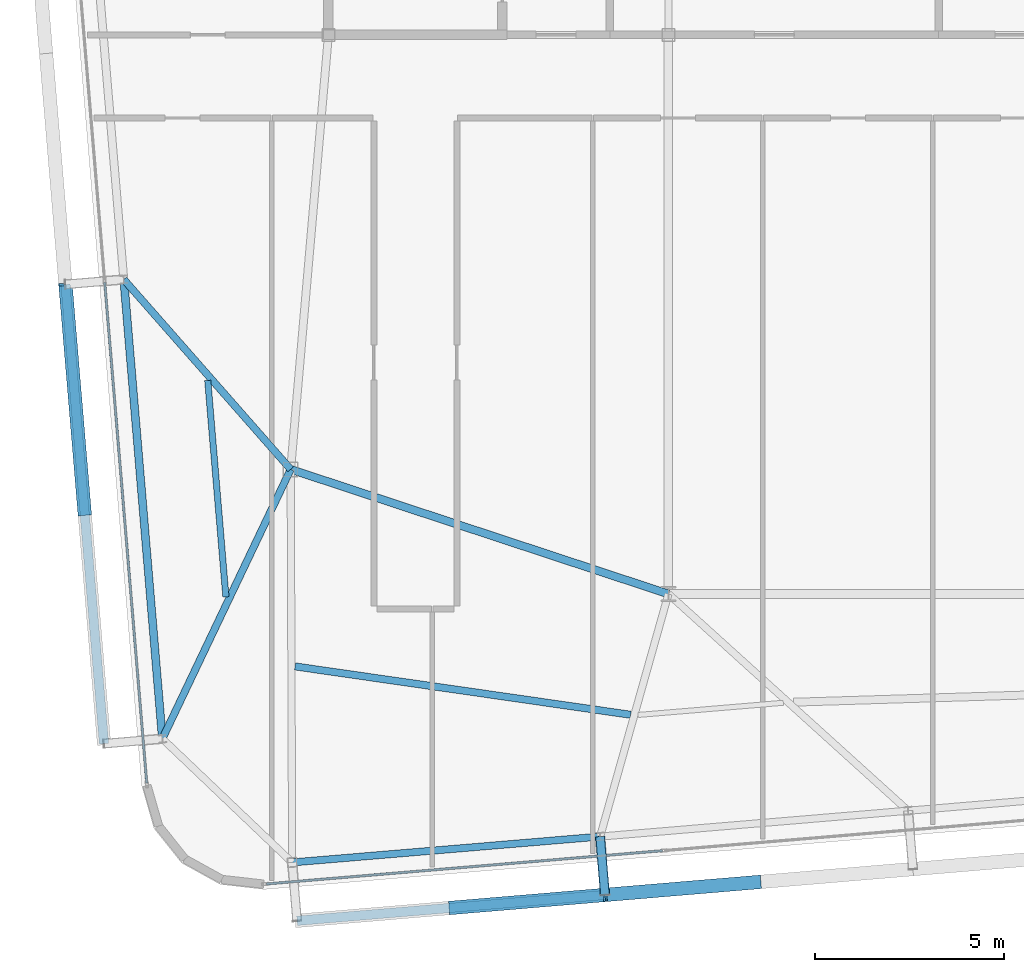
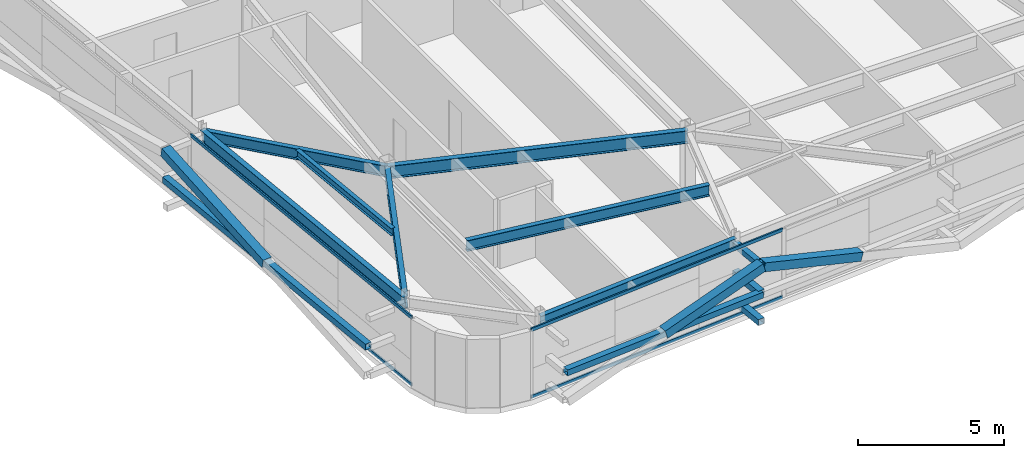
# One storey, part 8 of 39: 12 members, 7 beams, 2 elements without a shape of their own.
"""IFC4 building model written with IfcOpenShell, lengths in metres."""

from ifc_helpers import new_model, si_unit, direction, frame, origin, origin_2d, place, context, subcontext, project, spatial, hollow_rectangle, i_section, extrude, source, transform, mapped, material, layer, layer_set, material_profile, profile_set, type_object, element, aggregate, save


model = new_model("IFC4")

# Units and contexts
model_context = context("Model", 3, precision=1e-05, world=origin(), true_north=direction((0.0, 1.0)))
body_context = subcontext(model_context, "Body", "Model", "MODEL_VIEW")
ifc_project = project(units=[si_unit("LENGTHUNIT", "METRE"), si_unit("AREAUNIT", "SQUARE_METRE"), si_unit("VOLUMEUNIT", "CUBIC_METRE"), si_unit("PLANEANGLEUNIT", "RADIAN"), si_unit("MASSUNIT", "GRAM", prefix="KILO")], contexts=[model_context])

# Site, building, storey
site_placement = place(None, origin())
site = spatial("IfcSite", under=ifc_project, at=site_placement, CompositionType="ELEMENT")
building_placement = place(site_placement, origin())
building = spatial("IfcBuilding", under=site, at=building_placement, Name="Taldren Reach Tower", CompositionType="ELEMENT")
storey_placement = place(building_placement, frame((0.0, 0.0, 204.050048828125)))
storey = spatial("IfcBuildingStorey", under=building, at=storey_placement, Name="L62", CompositionType="ELEMENT", Elevation=204.050048828125)

# Beam
ifc_material_1 = material(Name="Steel Gr 350 (350PLUS)", Category="steel")
ifc_material_profile_1 = material_profile(ifc_material_1, i_section(OverallWidth=0.208984375, OverallDepth=0.532958984375, WebThickness=0.01025390625, FlangeThickness=0.015625, at=origin_2d()), Name="530UB92.4")
ifc_profile_set_1 = profile_set([ifc_material_profile_1], Name="Steel Gr 350 (350PLUS)")
beam_type_1 = type_object("IfcBeamType", Name="BM-UB530A", PredefinedType="BEAM", material=ifc_profile_set_1)
shared_shape_1 = source(origin(), body_context, "Body", "SweptSolid", [
    extrude(i_section(OverallWidth=0.208984375, OverallDepth=0.532958984375, WebThickness=0.01025390625, FlangeThickness=0.015625, at=origin_2d()), origin(), (0.0, 0.0, 1.0), 10.530517578125),
])
beam_1_placement = place(storey_placement, frame((18.0, 12.5, 2.603515625), z_axis=(0.949627269203, -0.313381635689, 0.0), x_axis=(0.313381635689, 0.949627269203, 0.0)))
element("IfcBeam", 1, at=beam_1_placement, inside=storey, type_object=beam_type_1, Name="Core-spine girder L62-SP10", PredefinedType="BEAM", context=body_context, shape_type="MappedRepresentation", body=[
    mapped(shared_shape_1, transform((0.0, 0.0, 0.0), scale=1.0)),
])

# Members
ifc_material_2 = material(Name="Steel Gr 350 (C350L0)", Category="steel")
ifc_material_profile_2 = material_profile(ifc_material_2, hollow_rectangle(XDim=0.25, YDim=0.25, WallThickness=0.010009765625, at=origin_2d()), Name="250x250x10.0SHS")
ifc_profile_set_2 = profile_set([ifc_material_profile_2], Name="Steel Gr 350 (C350L0)")
member_type_1 = type_object("IfcMemberType", Name="MB-POST250", PredefinedType="POST", material=ifc_profile_set_2)
shared_shape_2 = source(origin(), body_context, "Body", "SweptSolid", [
    extrude(hollow_rectangle(XDim=0.25, YDim=0.25, WallThickness=0.010009765625, at=origin_2d()), origin(), (0.0, 0.0, 1.0), 1.550048828125),
])
for number, where, z_axis, x_axis, name in (
    (2, (26.19091796875, 2.778564453125, 0.219970703125), (0.083632013783, -0.996496706603, 0.0), (0.996496706603, 0.083632013783, 0.0), "Exoskeleton base diaphragm tie strut B4-S2 L62"),
    (3, (26.19091796875, 2.778564453125, 1.405029296875), (0.083632013783, -0.996496706603, 0.0), (0.996496706603, 0.083632013783, 0.0), "Exoskeleton mid-tier diaphragm tie B4-S2 L62"),
):
    element("IfcMember", number, at=place(storey_placement, frame(where, z_axis=z_axis, x_axis=x_axis)), inside=storey, type_object=member_type_1, Name=name, PredefinedType="POST", context=body_context, shape_type="MappedRepresentation", body=[
        mapped(shared_shape_2, transform((0.0, 0.0, 0.0), scale=1.0)),
    ])

# Beams
ifc_material_profile_3 = material_profile(ifc_material_1, i_section(OverallWidth=0.18994140625, OverallDepth=0.4541015625, WebThickness=0.008544921875, FlangeThickness=0.0126953125, at=origin_2d()), Name="460UB67.1")
ifc_profile_set_3 = profile_set([ifc_material_profile_3], Name="Steel Gr 350 (350PLUS)")
beam_type_2 = type_object("IfcBeamType", Name="SP-UB460B", PredefinedType="SPANDREL", material=ifc_profile_set_3)
shared_shape_3 = source(origin(), body_context, "Body", "SweptSolid", [
    extrude(i_section(OverallWidth=0.18994140625, OverallDepth=0.4541015625, WebThickness=0.008544921875, FlangeThickness=0.0126953125, at=origin_2d()), origin(), (0.0, 0.0, 1.0), 8.18017578125),
])
beam_2_placement = place(storey_placement, frame((18.03955078125, 2.093994140625, 2.64306640625), z_axis=(0.996492034688, 0.083687662192, 0.0), x_axis=(-0.083687662192, 0.996492034688, 0.0)))
element("IfcBeam", 4, at=beam_2_placement, inside=storey, type_object=beam_type_2, Name="Perimeter spandrel B4 S1-S2 L62", PredefinedType="SPANDREL", context=body_context, shape_type="MappedRepresentation", body=[
    mapped(shared_shape_3, transform((0.0, 0.0, 0.0), scale=1.0)),
])
ifc_material_profile_4 = material_profile(ifc_material_1, i_section(OverallWidth=0.208984375, OverallDepth=0.528076171875, WebThickness=0.009521484375, FlangeThickness=0.01318359375, at=origin_2d()), Name="530UB82.0")
ifc_profile_set_4 = profile_set([ifc_material_profile_4], Name="Steel Gr 350 (350PLUS)")
beam_type_3 = type_object("IfcBeamType", Name="SP-UB530B", PredefinedType="SPANDREL", material=ifc_profile_set_4)
shared_shape_4 = source(origin(), body_context, "Body", "SweptSolid", [
    extrude(i_section(OverallWidth=0.208984375, OverallDepth=0.528076171875, WebThickness=0.009521484375, FlangeThickness=0.01318359375, at=origin_2d()), origin(), (0.0, 0.0, 1.0), 12.199951171875),
])
beam_3_placement = place(storey_placement, frame((13.582763671875, 17.525146484375, 2.60595703125), z_axis=(0.083688038336, -0.996492003099, 0.0), x_axis=(0.996492003099, 0.083688038336, 0.0)))
element("IfcBeam", 5, at=beam_3_placement, inside=storey, type_object=beam_type_3, Name="Perimeter spandrel B4 W2-W1 L62", PredefinedType="SPANDREL", context=body_context, shape_type="MappedRepresentation", body=[
    mapped(shared_shape_4, transform((0.0, 0.0, 0.0), scale=1.0)),
])
ifc_material_profile_5 = material_profile(ifc_material_1, i_section(OverallWidth=0.19091796875, OverallDepth=0.4599609375, WebThickness=0.010009765625, FlangeThickness=0.01611328125, at=origin_2d()), Name="460UB82.1")
ifc_profile_set_5 = profile_set([ifc_material_profile_5], Name="Steel Gr 350 (350PLUS)")
beam_type_4 = type_object("IfcBeamType", Name="BM-UB460A", PredefinedType="BEAM", material=ifc_profile_set_5)
shared_shape_5 = source(origin(), body_context, "Body", "SweptSolid", [
    extrude(i_section(OverallWidth=0.19091796875, OverallDepth=0.4599609375, WebThickness=0.010009765625, FlangeThickness=0.01611328125, at=origin_2d()), origin(), (0.0, 0.0, 1.0), 6.690673828125),
])
beam_4_placement = place(storey_placement, frame((18.0, 12.5, 2.639892578125), z_axis=(-0.660215677485, 0.751076067521, 0.0), x_axis=(-0.751076067521, -0.660215677485, 0.0)))
element("IfcBeam", 6, at=beam_4_placement, inside=storey, type_object=beam_type_4, Name="Primary floor girder B4-W2 L62", PredefinedType="BEAM", context=body_context, shape_type="MappedRepresentation", body=[
    mapped(shared_shape_5, transform((0.0, 0.0, 0.0), scale=1.0)),
])
shared_shape_6 = source(origin(), body_context, "Body", "SweptSolid", [
    extrude(i_section(OverallWidth=0.19091796875, OverallDepth=0.4599609375, WebThickness=0.010009765625, FlangeThickness=0.01611328125, at=origin_2d()), origin(), (0.0, 0.0, 1.0), 7.8994140625),
])
beam_5_placement = place(storey_placement, frame((18.0, 12.5, 2.639892578125), z_axis=(-0.429934780074, -0.902859947546, 0.0), x_axis=(0.902859947546, -0.429934780074, 0.0)))
element("IfcBeam", 7, at=beam_5_placement, inside=storey, type_object=beam_type_4, Name="Primary floor girder B4-W1 L62", PredefinedType="BEAM", context=body_context, shape_type="MappedRepresentation", body=[
    mapped(shared_shape_6, transform((0.0, 0.0, 0.0), scale=1.0)),
])
shared_shape_7 = source(origin(), body_context, "Body", "SweptSolid", [
    extrude(i_section(OverallWidth=0.19091796875, OverallDepth=0.4599609375, WebThickness=0.010009765625, FlangeThickness=0.01611328125, at=origin_2d()), origin(), (0.0, 0.0, 1.0), 8.9765625),
])
beam_6_placement = place(storey_placement, frame((18.115478515625, 7.283203125, 2.639892578125), z_axis=(0.989776873291, -0.142624475806, 0.0), x_axis=(0.142624475806, 0.989776873291, 0.0)))
element("IfcBeam", 8, at=beam_6_placement, inside=storey, type_object=beam_type_4, Name="Secondary floor beam B4 J1 L62", PredefinedType="BEAM", context=body_context, shape_type="MappedRepresentation", body=[
    mapped(shared_shape_7, transform((0.0, 0.0, 0.0), scale=1.0)),
])
ifc_material_3 = material(Name="Steel Gr 300 (300PLUS, 300 MPa)", Category="steel")
ifc_material_profile_6 = material_profile(ifc_material_3, i_section(OverallWidth=0.166015625, OverallDepth=0.306884765625, WebThickness=0.006591796875, FlangeThickness=0.01171875, at=origin_2d()), Name="310UB46.2")
ifc_profile_set_6 = profile_set([ifc_material_profile_6], Name="Steel Gr 300 (300PLUS, 300 MPa)")
beam_type_5 = type_object("IfcBeamType", Name="JS-UB310", PredefinedType="JOIST", material=ifc_profile_set_6)
shared_shape_8 = source(origin(), body_context, "Body", "SweptSolid", [
    extrude(i_section(OverallWidth=0.166015625, OverallDepth=0.306884765625, WebThickness=0.006591796875, FlangeThickness=0.01171875, at=origin_2d()), origin(), (0.0, 0.0, 1.0), 5.750244140625),
])
beam_7_placement = place(storey_placement, frame((16.285888671875, 9.122802734375, 2.716552734375), z_axis=(-0.083642808993, 0.996495800545, 0.0), x_axis=(-0.996495800545, -0.083642808993, 0.0)))
element("IfcBeam", 9, at=beam_7_placement, inside=storey, type_object=beam_type_5, Name="Secondary floor joist B4 J6 L62", PredefinedType="JOIST", context=body_context, shape_type="MappedRepresentation", body=[
    mapped(shared_shape_8, transform((0.0, 0.0, 0.0), scale=1.0)),
])

# Members
ifc_material_4 = material(Name="Steel Gr 450 (C450L0)", Category="steel")
ifc_material_profile_7 = material_profile(ifc_material_4, hollow_rectangle(XDim=0.219970703125, YDim=0.219970703125, WallThickness=0.00830078125, at=origin_2d()), Name="220x220x8.2SHS")
ifc_profile_set_7 = profile_set([ifc_material_profile_7], Name="Steel Gr 450 (C450L0)")
member_type_2 = type_object("IfcMemberType", Name="MB-TIE219", PredefinedType="STRUT", material=ifc_profile_set_7)
shared_shape_9 = source(origin(), body_context, "Body", "SweptSolid", [
    extrude(hollow_rectangle(XDim=0.219970703125, YDim=0.219970703125, WallThickness=0.00830078125, at=origin_2d()), origin(), (0.0, 0.0, 1.0), 1.550048828125),
])
member_1_placement = place(storey_placement, frame((26.19091796875, 2.778564453125, 2.58984375), z_axis=(0.083632013783, -0.996496706603, 0.0), x_axis=(0.996496706603, 0.083632013783, 0.0)))
element("IfcMember", 10, at=member_1_placement, inside=storey, type_object=member_type_2, Name="Exoskeleton diaphragm tie strut B4-S2 L62", PredefinedType="STRUT", context=body_context, shape_type="MappedRepresentation", body=[
    mapped(shared_shape_9, transform((0.0, 0.0, 0.0), scale=1.0)),
])
shared_shape_10 = source(origin(), body_context, "Body", "SweptSolid", [
    extrude(hollow_rectangle(XDim=0.25, YDim=0.25, WallThickness=0.010009765625, at=origin_2d()), origin(), (0.0, 0.0, 1.0), 8.1796875),
])
member_2_placement = place(storey_placement, frame((18.16943359375, 0.549560546875, 1.405029296875), z_axis=(0.996494314327, 0.083660513465, 0.0), x_axis=(-0.083660513465, 0.996494314327, 0.0)))
element("IfcMember", 11, at=member_2_placement, inside=storey, type_object=member_type_1, Name="Exoskeleton mid-height ring chord B4-S1 L62", PredefinedType="POST", context=body_context, shape_type="MappedRepresentation", body=[
    mapped(shared_shape_10, transform((0.0, 0.0, 0.0), scale=1.0)),
])
shared_shape_11 = source(origin(), body_context, "Body", "SweptSolid", [
    extrude(hollow_rectangle(XDim=0.25, YDim=0.25, WallThickness=0.010009765625, at=origin_2d()), origin(), (0.0, 0.0, 1.0), 12.199951171875),
])
member_3_placement = place(storey_placement, frame((13.05908203125, 5.23828125, 1.405029296875), z_axis=(-0.083688038336, 0.996492003099, 0.0), x_axis=(-0.996492003099, -0.083688038336, 0.0)))
element("IfcMember", 12, at=member_3_placement, inside=storey, type_object=member_type_1, Name="Exoskeleton mid-height ring chord B4-W1 L62", PredefinedType="POST", context=body_context, shape_type="MappedRepresentation", body=[
    mapped(shared_shape_11, transform((0.0, 0.0, 0.0), scale=1.0)),
])
ifc_material_profile_8 = material_profile(ifc_material_4, hollow_rectangle(XDim=0.360107421875, YDim=0.360107421875, WallThickness=0.0126953125, at=origin_2d()), Name="360x360x12.7SHS")
ifc_profile_set_8 = profile_set([ifc_material_profile_8], Name="Steel Gr 450 (C450L0)")
member_type_3 = type_object("IfcMemberType", Name="MB-EXO356", PredefinedType="BRACE", material=ifc_profile_set_8)
shared_shape_12 = source(origin(), body_context, "Body", "SweptSolid", [
    extrude(hollow_rectangle(XDim=0.360107421875, YDim=0.360107421875, WallThickness=0.0126953125, at=origin_2d()), origin(), (0.0, 0.0, 1.0), 4.25830078125),
])
member_4_placement = place(storey_placement, frame((30.396240234375, 1.576171875, 1.405029296875), z_axis=(-0.957140989668, -0.080382872141, 0.278243993223), x_axis=(0.083687662192, -0.996492034688, 0.0)))
element("IfcMember", 13, at=member_4_placement, inside=storey, type_object=member_type_3, Name="Exoskeleton Diagrid Brace B4-S2 L62", PredefinedType="BRACE", context=body_context, shape_type="MappedRepresentation", body=[
    mapped(shared_shape_12, transform((0.0, 0.0, 0.0), scale=1.0)),
])
shared_shape_13 = source(origin(), body_context, "Body", "SweptSolid", [
    extrude(hollow_rectangle(XDim=0.360107421875, YDim=0.360107421875, WallThickness=0.0126953125, at=origin_2d()), origin(), (0.0, 0.0, 1.0), 4.258056640625),
])
member_5_placement = place(storey_placement, frame((22.2451171875, 0.8916015625, 1.405029296875), z_axis=(0.957136179995, 0.080387283553, 0.278259263255), x_axis=(-0.083692640416, 0.996491616593, 0.0)))
element("IfcMember", 14, at=member_5_placement, inside=storey, type_object=member_type_3, Name="Exoskeleton Diagrid Brace B4-S1 L62", PredefinedType="BRACE", context=body_context, shape_type="MappedRepresentation", body=[
    mapped(shared_shape_13, transform((0.0, 0.0, 0.0), scale=1.0)),
])
shared_shape_14 = source(origin(), body_context, "Body", "SweptSolid", [
    extrude(hollow_rectangle(XDim=0.360107421875, YDim=0.360107421875, WallThickness=0.0126953125, at=origin_2d()), origin(), (0.0, 0.0, 1.0), 6.214111328125),
])
member_6_placement = place(storey_placement, frame((12.548583984375, 11.31689453125, 1.405029296875), z_axis=(-0.082152742434, 0.978210894841, 0.190668225266), x_axis=(-0.996492003099, -0.083688038336, 0.0)))
element("IfcMember", 15, at=member_6_placement, inside=storey, type_object=member_type_3, Name="Exoskeleton Diagrid Brace B4-W1 L62", PredefinedType="BRACE", context=body_context, shape_type="MappedRepresentation", body=[
    mapped(shared_shape_14, transform((0.0, 0.0, 0.0), scale=1.0)),
])

# Curtain wall, members
ifc_material_5 = material(Name="Aluminium and Low-E Glass Unitised System", Category="aluminium")
ifc_layer = layer(ifc_material_5, 0.159912109375)
ifc_layer_set = layer_set([ifc_layer], Name="Aluminium and Low-E Glass Unitised System")
curtain_wall_type = type_object("IfcCurtainWallType", Name="CW-SYS-5", PredefinedType="NOTDEFINED", material=ifc_layer_set)
curtain_wall_1_placement = place(storey_placement, origin())
curtain_wall_1 = element("IfcCurtainWall", 16, at=curtain_wall_1_placement, inside=storey, type_object=curtain_wall_type, Name="Unitised curtain wall CW-L62-S", PredefinedType="NOTDEFINED")
ifc_material_6 = material(Name="Anodised Aluminium 6063-T6", Category="aluminium")
ifc_material_profile_9 = material_profile(ifc_material_6, hollow_rectangle(XDim=0.06005859375, YDim=0.135009765625, WallThickness=0.00341796875, at=origin_2d()), Name="ALU-135x60x3.5RHS")
ifc_profile_set_9 = profile_set([ifc_material_profile_9], Name="Anodised Aluminium 6063-T6")
member_type_4 = type_object("IfcMemberType", Name="CW-TRN-150", PredefinedType="USERDEFINED", material=ifc_profile_set_9)
shared_shape_15 = source(origin(), body_context, "Body", "SweptSolid", [
    extrude(hollow_rectangle(XDim=0.06005859375, YDim=0.135009765625, WallThickness=0.00341796875, at=origin_2d()), origin(), (0.0, 0.0, 1.0), 10.519775390625),
])
member_7_placement = place(storey_placement, frame((17.35498046875, 1.524658203125, 0.030029296875), z_axis=(0.996492094046, 0.083686955404, 0.0), x_axis=(-0.083686955404, 0.996492094046, 0.0)))
member_7 = element("IfcMember", 17, at=member_7_placement, type_object=member_type_4, Name="CW-5 transom 1.1", ObjectType="TRANSOM", PredefinedType="USERDEFINED", context=body_context, shape_type="MappedRepresentation", body=[
    mapped(shared_shape_15, transform((0.0, 0.0, 0.0), scale=1.0)),
])
member_8_placement = place(storey_placement, frame((17.35498046875, 1.524658203125, 2.83984375), z_axis=(0.996492094046, 0.083686955404, 0.0), x_axis=(-0.083686955404, 0.996492094046, 0.0)))
member_8 = element("IfcMember", 18, at=member_8_placement, type_object=member_type_4, Name="CW-5 transom 1.2", ObjectType="TRANSOM", PredefinedType="USERDEFINED", context=body_context, shape_type="MappedRepresentation", body=[
    mapped(shared_shape_15, transform((0.0, 0.0, 0.0), scale=1.0)),
])
aggregate(curtain_wall_1, [member_7, member_8])

curtain_wall_2_placement = place(storey_placement, origin())
curtain_wall_2 = element("IfcCurtainWall", 19, at=curtain_wall_2_placement, inside=storey, type_object=curtain_wall_type, Name="Unitised curtain wall CW-L62-W", PredefinedType="NOTDEFINED")
shared_shape_16 = source(origin(), body_context, "Body", "SweptSolid", [
    extrude(hollow_rectangle(XDim=0.06005859375, YDim=0.135009765625, WallThickness=0.00341796875, at=origin_2d()), origin(), (0.0, 0.0, 1.0), 13.295166015625),
])
member_9_placement = place(storey_placement, frame((13.077392578125, 17.44775390625, 0.030029296875), z_axis=(0.083680700004, -0.996492619364, 0.0), x_axis=(0.996492619364, 0.083680700004, 0.0)))
member_9 = element("IfcMember", 20, at=member_9_placement, type_object=member_type_4, Name="CW-5 transom 2.1", ObjectType="TRANSOM", PredefinedType="USERDEFINED", context=body_context, shape_type="MappedRepresentation", body=[
    mapped(shared_shape_16, transform((0.0, 0.0, 0.0), scale=1.0)),
])
member_10_placement = place(storey_placement, frame((13.077392578125, 17.44775390625, 2.83984375), z_axis=(0.083680700004, -0.996492619364, 0.0), x_axis=(0.996492619364, 0.083680700004, 0.0)))
member_10 = element("IfcMember", 21, at=member_10_placement, type_object=member_type_4, Name="CW-5 transom 2.2", ObjectType="TRANSOM", PredefinedType="USERDEFINED", context=body_context, shape_type="MappedRepresentation", body=[
    mapped(shared_shape_16, transform((0.0, 0.0, 0.0), scale=1.0)),
])
aggregate(curtain_wall_2, [member_9, member_10])

save(model, "model.ifc")
